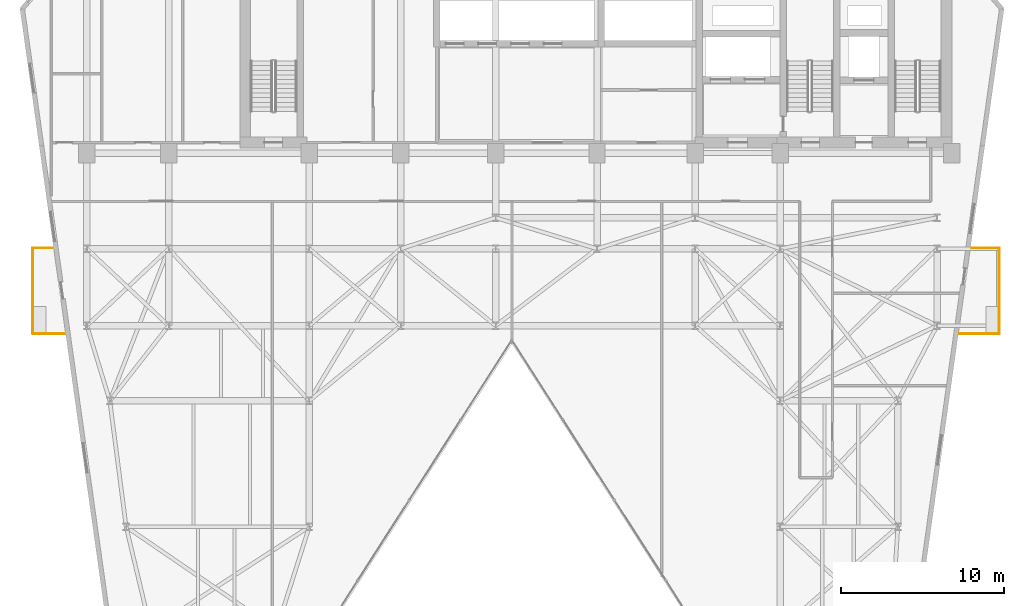
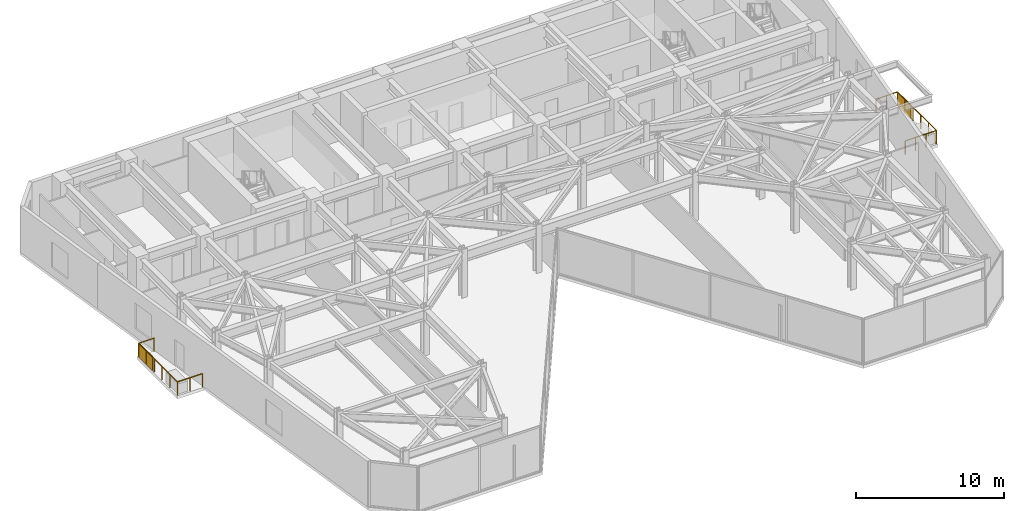
# One storey, part 18 of 20: 6 railings, 2 shading devices.
"""IFC4 building model written with IfcOpenShell, lengths in metres."""

from ifc_helpers import new_model, si_unit, direction, frame, origin, origin_2d, place, context, subcontext, project, spatial, rectangle, circle, extrude, material, layer, layer_set, type_object, element, save


model = new_model("IFC4")

# Units and contexts
model_context = context("Model", 3, precision=1e-05, world=origin(), true_north=direction((0.0, 1.0)))
body_context = subcontext(model_context, "Body", "Model", "MODEL_VIEW")
ifc_project = project(units=[si_unit("LENGTHUNIT", "METRE"), si_unit("AREAUNIT", "SQUARE_METRE"), si_unit("VOLUMEUNIT", "CUBIC_METRE"), si_unit("PLANEANGLEUNIT", "RADIAN"), si_unit("MASSUNIT", "GRAM", prefix="KILO")], contexts=[model_context])

# Site, building, storey
site_placement = place(None, origin())
site = spatial("IfcSite", under=ifc_project, at=site_placement, CompositionType="ELEMENT")
building_placement = place(site_placement, origin())
building = spatial("IfcBuilding", under=site, at=building_placement, Name="Kravanh Interchange Tower", CompositionType="ELEMENT")
storey_placement = place(building_placement, frame((0.0, 0.0, 104.0)))
storey = spatial("IfcBuildingStorey", under=building, at=storey_placement, Name="L24", CompositionType="ELEMENT", Elevation=104.0)

# Shading devices
ifc_material_1 = material(Name="Perforated Anodised Bronze Aluminium", Category="aluminium")
ifc_layer_1 = layer(ifc_material_1, 0.0400390625)
ifc_layer_set_1 = layer_set([ifc_layer_1], Name="Perforated Bronze Balcony Privacy Screen 1150mm")
shading_device_type = type_object("IfcShadingDeviceType", Name="Perforated Bronze Balcony Privacy Screen 1150mm", PredefinedType="USERDEFINED", material=ifc_layer_set_1)
for number, where, z_axis, x_axis, name in (
    (1, (69.39892578125, 30.580078125, 0.0), (0.0, 0.0, 1.0), (1.0, 0.0, 0.0), "L24 E Perforated Bronze BALCONY SCREEN"),
    (2, (10.2900390625, 30.580078125, 0.0), (0.0, 0.0, 1.0), (1.0, 0.0, 0.0), "L24 W Perforated Bronze BALCONY SCREEN"),
):
    element("IfcShadingDevice", number, at=place(storey_placement, frame(where, z_axis=z_axis, x_axis=x_axis)), inside=storey, type_object=shading_device_type, Name=name, ObjectType="SCREEN", PredefinedType="USERDEFINED", context=body_context, shape_type="SweptSolid", body=[
        extrude(rectangle(XDim=0.0400390625, YDim=1.800048828125, at=origin_2d()), origin(), (0.0, 0.0, 1.0), 1.14990234375),
    ])

# Railings
ifc_material_2 = material(Name="Stainless Steel 316", Category="steel")
ifc_layer_2 = layer(ifc_material_2, 0.06005859375)
ifc_layer_set_2 = layer_set([ifc_layer_2], Name="Perimeter Balcony and Terrace Guardrail Stainless 316 1120mm")
railing_type = type_object("IfcRailingType", Name="Perimeter Balcony and Terrace Guardrail Stainless 316 1120mm", PredefinedType="GUARDRAIL", material=ifc_layer_set_2)
railing_1_placement = place(storey_placement, frame((69.39892578125, 31.550048828125, 0.0)))
element("IfcRailing", 3, at=railing_1_placement, inside=storey, type_object=railing_type, Name="L24 E Balcony Guardrail 1", PredefinedType="GUARDRAIL", context=body_context, shape_type="SweptSolid", body=[
    extrude(circle(Radius=0.02392578125, at=origin_2d()), frame((0.0, 0.0, 1.09619140625), z_axis=(0.0, -1.0, 0.0), x_axis=(1.0, 0.0, 0.0)), (0.0, 0.0, 1.0), 5.239990234375),
    extrude(circle(Radius=0.02099609375, at=origin_2d()), origin(), (0.0, 0.0, 1.0), 1.072021484375),
    extrude(circle(Radius=0.02099609375, at=origin_2d()), frame((0.0, -1.048095703125, 0.0)), (0.0, 0.0, 1.0), 1.072021484375),
    extrude(circle(Radius=0.02099609375, at=origin_2d()), frame((0.0, -2.095947265625, 0.0)), (0.0, 0.0, 1.0), 1.072021484375),
    extrude(circle(Radius=0.02099609375, at=origin_2d()), frame((0.0, -3.14404296875, 0.0)), (0.0, 0.0, 1.0), 1.072021484375),
    extrude(circle(Radius=0.02099609375, at=origin_2d()), frame((0.0, -4.19189453125, 0.0)), (0.0, 0.0, 1.0), 1.072021484375),
    extrude(circle(Radius=0.02099609375, at=origin_2d()), frame((0.0, -5.239990234375, 0.0)), (0.0, 0.0, 1.0), 1.072021484375),
])
railing_2_placement = place(storey_placement, frame((69.39892578125, 26.31005859375, 0.0)))
element("IfcRailing", 4, at=railing_2_placement, inside=storey, type_object=railing_type, Name="L24 E Balcony Guardrail 2", PredefinedType="GUARDRAIL", context=body_context, shape_type="SweptSolid", body=[
    extrude(circle(Radius=0.02392578125, at=origin_2d()), frame((0.0, 0.0, 1.09619140625), z_axis=(-1.0, 0.0, 0.0), x_axis=(0.0, -1.0, 0.0)), (0.0, 0.0, 1.0), 2.421630859375),
    extrude(circle(Radius=0.02099609375, at=origin_2d()), origin(), (0.0, 0.0, 1.0), 1.072021484375),
    extrude(circle(Radius=0.02099609375, at=origin_2d()), frame((-0.80712890625, 0.0, 0.0)), (0.0, 0.0, 1.0), 1.072021484375),
    extrude(circle(Radius=0.02099609375, at=origin_2d()), frame((-1.614501953125, 0.0, 0.0)), (0.0, 0.0, 1.0), 1.072021484375),
    extrude(circle(Radius=0.02099609375, at=origin_2d()), frame((-2.421630859375, 0.0, 0.0)), (0.0, 0.0, 1.0), 1.072021484375),
])
railing_3_placement = place(storey_placement, frame((67.713623046875, 31.550048828125, 0.0)))
element("IfcRailing", 5, at=railing_3_placement, inside=storey, type_object=railing_type, Name="L24 E Balcony Guardrail 3", PredefinedType="GUARDRAIL", context=body_context, shape_type="SweptSolid", body=[
    extrude(circle(Radius=0.02392578125, at=origin_2d()), frame((0.0, 0.0, 1.09619140625), z_axis=(1.0, 0.0, 0.0), x_axis=(0.0, 1.0, 0.0)), (0.0, 0.0, 1.0), 1.685302734375),
    extrude(circle(Radius=0.02099609375, at=origin_2d()), origin(), (0.0, 0.0, 1.0), 1.072021484375),
    extrude(circle(Radius=0.02099609375, at=origin_2d()), frame((0.8427734375, 0.0, 0.0)), (0.0, 0.0, 1.0), 1.072021484375),
    extrude(circle(Radius=0.02099609375, at=origin_2d()), frame((1.685302734375, 0.0, 0.0)), (0.0, 0.0, 1.0), 1.072021484375),
])
railing_4_placement = place(storey_placement, frame((10.2900390625, 26.31005859375, 0.0)))
element("IfcRailing", 6, at=railing_4_placement, inside=storey, type_object=railing_type, Name="L24 W Balcony Guardrail 1", PredefinedType="GUARDRAIL", context=body_context, shape_type="SweptSolid", body=[
    extrude(circle(Radius=0.02392578125, at=origin_2d()), frame((0.0, 0.0, 1.09619140625), z_axis=(0.0, 1.0, 0.0), x_axis=(-1.0, 0.0, 0.0)), (0.0, 0.0, 1.0), 5.239990234375),
    extrude(circle(Radius=0.02099609375, at=origin_2d()), origin(), (0.0, 0.0, 1.0), 1.072021484375),
    extrude(circle(Radius=0.02099609375, at=origin_2d()), frame((0.0, 1.048095703125, 0.0)), (0.0, 0.0, 1.0), 1.072021484375),
    extrude(circle(Radius=0.02099609375, at=origin_2d()), frame((0.0, 2.095947265625, 0.0)), (0.0, 0.0, 1.0), 1.072021484375),
    extrude(circle(Radius=0.02099609375, at=origin_2d()), frame((0.0, 3.14404296875, 0.0)), (0.0, 0.0, 1.0), 1.072021484375),
    extrude(circle(Radius=0.02099609375, at=origin_2d()), frame((0.0, 4.19189453125, 0.0)), (0.0, 0.0, 1.0), 1.072021484375),
    extrude(circle(Radius=0.02099609375, at=origin_2d()), frame((0.0, 5.239990234375, 0.0)), (0.0, 0.0, 1.0), 1.072021484375),
])
railing_5_placement = place(storey_placement, frame((10.2900390625, 31.550048828125, 0.0)))
element("IfcRailing", 7, at=railing_5_placement, inside=storey, type_object=railing_type, Name="L24 W Balcony Guardrail 2", PredefinedType="GUARDRAIL", context=body_context, shape_type="SweptSolid", body=[
    extrude(circle(Radius=0.02392578125, at=origin_2d()), frame((0.0, 0.0, 1.09619140625), z_axis=(1.0, 0.0, 0.0), x_axis=(0.0, 1.0, 0.0)), (0.0, 0.0, 1.0), 1.1962890625),
    extrude(circle(Radius=0.02099609375, at=origin_2d()), origin(), (0.0, 0.0, 1.0), 1.072021484375),
    extrude(circle(Radius=0.02099609375, at=origin_2d()), frame((1.1962890625, 0.0, 0.0)), (0.0, 0.0, 1.0), 1.072021484375),
])
railing_6_placement = place(storey_placement, frame((12.22265625, 26.31005859375, 0.0)))
element("IfcRailing", 8, at=railing_6_placement, inside=storey, type_object=railing_type, Name="L24 W Balcony Guardrail 3", PredefinedType="GUARDRAIL", context=body_context, shape_type="SweptSolid", body=[
    extrude(circle(Radius=0.02392578125, at=origin_2d()), frame((0.0, 0.0, 1.09619140625), z_axis=(-1.0, 0.0, 0.0), x_axis=(0.0, -1.0, 0.0)), (0.0, 0.0, 1.0), 1.9326171875),
    extrude(circle(Radius=0.02099609375, at=origin_2d()), origin(), (0.0, 0.0, 1.0), 1.072021484375),
    extrude(circle(Radius=0.02099609375, at=origin_2d()), frame((-0.96630859375, 0.0, 0.0)), (0.0, 0.0, 1.0), 1.072021484375),
    extrude(circle(Radius=0.02099609375, at=origin_2d()), frame((-1.9326171875, 0.0, 0.0)), (0.0, 0.0, 1.0), 1.072021484375),
])

save(model, "model.ifc")
